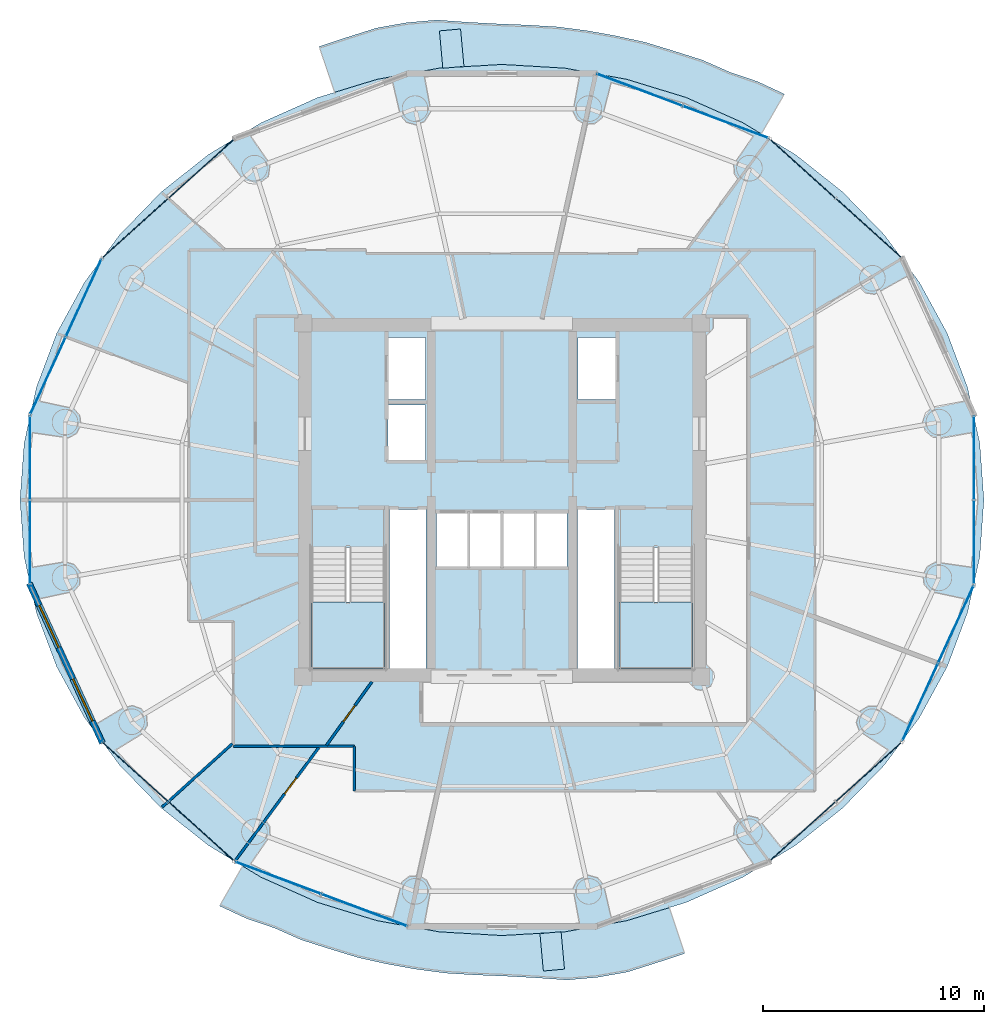
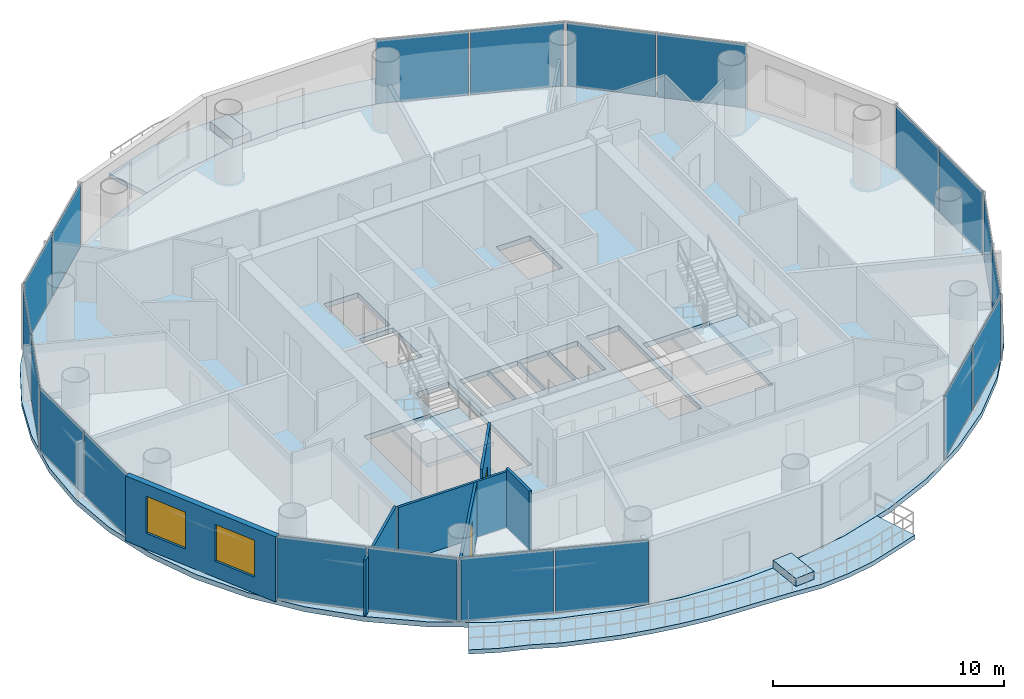
# One storey, part 19 of 26: 20 plates, 7 slabs, 6 walls, 2 doors, 2 windows, 4 openings, 12 elements without a shape of their own.
"""IFC4 building model written with IfcOpenShell, lengths in metres."""

from ifc_helpers import new_model, si_unit, direction, frame, frame_2d, origin, origin_2d, place, context, subcontext, project, spatial, polyline, rectangle, outline, extrude, source, transform, mapped, material, layer, layer_set, type_object, element, fill, aggregate, save


model = new_model("IFC4")

# Units and contexts
model_context = context("Model", 3, precision=1e-05, world=origin(), true_north=direction((-0.2419218956, 0.970295726276)))
body_context = subcontext(model_context, "Body", "Model", "MODEL_VIEW")
ifc_project = project(units=[si_unit("LENGTHUNIT", "METRE"), si_unit("AREAUNIT", "SQUARE_METRE"), si_unit("VOLUMEUNIT", "CUBIC_METRE"), si_unit("PLANEANGLEUNIT", "RADIAN"), si_unit("MASSUNIT", "GRAM", prefix="KILO")], contexts=[model_context])

# Site, building, storey
site_placement = place(None, origin())
site = spatial("IfcSite", under=ifc_project, at=site_placement, CompositionType="ELEMENT")
building_placement = place(site_placement, origin())
building = spatial("IfcBuilding", under=site, at=building_placement, Name="Cobrevalo Terracotta Tower", CompositionType="ELEMENT")
storey_placement = place(building_placement, frame((0.0, 0.0, 235.60009765625)))
storey = spatial("IfcBuildingStorey", under=building, at=storey_placement, Name="L62", CompositionType="ELEMENT", Elevation=235.60009765625)

# Stair, slab
ifc_material_1 = material(Name="Concrete C50", Category="concrete")
stair_type = type_object("IfcStairType", Name="Core protected escape dogleg stair 1600", PredefinedType="HALF_TURN_STAIR", material=ifc_material_1)
stair_1_placement = place(storey_placement, origin())
stair_1 = element("IfcStair", 1, at=stair_1_placement, inside=storey, type_object=stair_type, Name="L62 Protected exit stair ST-1", PredefinedType="HALF_TURN_STAIR")
ifc_layer_1 = layer(ifc_material_1, 0.199951171875)
ifc_layer_set_1 = layer_set([ifc_layer_1], Name="Concrete C50")
slab_type_1 = type_object("IfcSlabType", Name="Reinforced Concrete Stair Landing 200", PredefinedType="LANDING", material=ifc_layer_set_1)
slab_1_placement = place(storey_placement, frame((0.0, 0.0, 1.64990234375)))
slab_1 = element("IfcSlab", 2, at=slab_1_placement, type_object=slab_type_1, Name="ST-1 landing 1", PredefinedType="LANDING", context=body_context, shape_type="SweptSolid", body=[
    extrude(outline(polyline([(29.375, 22.179931640625), (29.375, 19.175048828125), (32.695068359375, 19.175048828125), (32.695068359375, 22.179931640625), (29.375, 22.179931640625)])), origin(), (0.0, 0.0, 1.0), 0.199951171875),
])
aggregate(stair_1, [slab_1])

stair_2_placement = place(storey_placement, origin())
stair_2 = element("IfcStair", 3, at=stair_2_placement, inside=storey, type_object=stair_type, Name="L62 Protected exit stair ST-2", PredefinedType="HALF_TURN_STAIR")
slab_2_placement = place(storey_placement, frame((0.0, 0.0, 1.64990234375)))
slab_2 = element("IfcSlab", 4, at=slab_2_placement, type_object=slab_type_1, Name="ST-2 landing 1", PredefinedType="LANDING", context=body_context, shape_type="SweptSolid", body=[
    extrude(outline(polyline([(43.304931640625, 22.179931640625), (43.304931640625, 19.175048828125), (46.625, 19.175048828125), (46.625, 22.179931640625), (43.304931640625, 22.179931640625)])), origin(), (0.0, 0.0, 1.0), 0.199951171875),
])
aggregate(stair_2, [slab_2])

# Slabs
ifc_material_2 = material(Name="Concrete C45", Category="concrete")
ifc_layer_2 = layer(ifc_material_2, 0.219970703125)
ifc_layer_set_2 = layer_set([ifc_layer_2], Name="Concrete C45")
slab_type_2 = type_object("IfcSlabType", Name="Spiralling cantilevered balcony lobe slab 220 mm", PredefinedType="FLOOR", material=ifc_layer_set_2)
slab_3_placement = place(storey_placement, frame((0.0, 0.0, -0.22021484375)))
element("IfcSlab", 5, at=slab_3_placement, inside=storey, type_object=slab_type_2, Name="L62 spiralling arc balcony slab lobe 1", PredefinedType="FLOOR", context=body_context, shape_type="SweptSolid", body=[
    extrude(outline(polyline([(50.78076171875, 45.157958984375), (49.568359375, 45.724853515625), (48.290771484375, 46.159912109375), (47.067626953125, 46.69921875), (45.78515625, 47.1064453125), (44.49755859375, 47.499755859375), (43.1806640625, 47.790771484375), (41.84912109375, 48.030029296875), (40.508544921875, 48.203369140625), (39.15478515625, 48.28466796875), (37.801025390625, 48.339111328125), (36.438232421875, 48.412353515625), (35.05615234375, 48.511474609375), (33.6875, 48.392822265625), (32.33251953125, 48.151611328125), (31.025634765625, 47.7392578125), (29.72802734375, 47.31396484375), (30.424560546875, 45.23779296875), (32.357177734375, 45.83056640625), (35.154296875, 46.33349609375), (38.0, 46.501953125), (40.845703125, 46.33349609375), (43.642822265625, 45.83056640625), (46.34326171875, 45.002197265625), (48.90087890625, 43.862548828125), (49.738037109375, 43.35693359375), (50.78076171875, 45.157958984375)])), origin(), (0.0, 0.0, 1.0), 0.22021484375),
])
slab_4_placement = place(storey_placement, frame((0.0, 0.0, -0.22021484375)))
element("IfcSlab", 6, at=slab_4_placement, inside=storey, type_object=slab_type_2, Name="L62 spiralling arc balcony slab lobe 2", PredefinedType="FLOOR", context=body_context, shape_type="SweptSolid", body=[
    extrude(outline(polyline([(25.21923828125, 8.442138671875), (26.431640625, 7.875244140625), (27.709228515625, 7.440185546875), (28.932373046875, 6.900634765625), (30.21484375, 6.49365234375), (31.50244140625, 6.100341796875), (32.8193359375, 5.80908203125), (34.15087890625, 5.570068359375), (35.491455078125, 5.396728515625), (36.84521484375, 5.3154296875), (38.198974609375, 5.260986328125), (39.561767578125, 5.187744140625), (40.94384765625, 5.088623046875), (42.3125, 5.207275390625), (43.66748046875, 5.448486328125), (44.974365234375, 5.86083984375), (46.27197265625, 6.2861328125), (45.575439453125, 8.3623046875), (43.642822265625, 7.769287109375), (40.845703125, 7.2666015625), (38.0, 7.097900390625), (35.154296875, 7.2666015625), (32.357177734375, 7.769287109375), (29.65673828125, 8.59765625), (27.09912109375, 9.737548828125), (26.261962890625, 10.242919921875), (25.21923828125, 8.442138671875)])), origin(), (0.0, 0.0, 1.0), 0.22021484375),
])
ifc_material_3 = material(Name="Precast concrete C45", Category="concrete")
ifc_layer_3 = layer(ifc_material_3, 0.419921875)
ifc_layer_set_3 = layer_set([ifc_layer_3], Name="Precast concrete C45")
slab_type_3 = type_object("IfcSlabType", Name="Structural tree planter trough base 420 mm", PredefinedType="USERDEFINED", material=ifc_layer_set_3)
slab_5_placement = place(storey_placement, origin())
element("IfcSlab", 7, at=slab_5_placement, inside=storey, type_object=slab_type_3, Name="L62 structural tree planter trough 1", ObjectType="PLANTER", PredefinedType="USERDEFINED", context=body_context, shape_type="SweptSolid", body=[
    extrude(outline(polyline([(36.281982421875, 46.41357421875), (36.126953125, 48.1064453125), (35.1708984375, 48.018798828125), (35.325927734375, 46.325927734375), (36.281982421875, 46.41357421875)])), origin(), (0.0, 0.0, 1.0), 0.419921875),
])
slab_6_placement = place(storey_placement, origin())
element("IfcSlab", 8, at=slab_6_placement, inside=storey, type_object=slab_type_3, Name="L62 structural tree planter trough 2", ObjectType="PLANTER", PredefinedType="USERDEFINED", context=body_context, shape_type="SweptSolid", body=[
    extrude(outline(polyline([(39.718017578125, 7.1865234375), (39.873046875, 5.49365234375), (40.8291015625, 5.581298828125), (40.674072265625, 7.274169921875), (39.718017578125, 7.1865234375)])), origin(), (0.0, 0.0, 1.0), 0.419921875),
])
ifc_layer_4 = layer(ifc_material_2, 0.264892578125)
ifc_layer_set_4 = layer_set([ifc_layer_4], Name="Concrete C45")
slab_type_4 = type_object("IfcSlabType", Name="Zone Z4 elliptical floor plate 265 mm", PredefinedType="FLOOR", material=ifc_layer_set_4)
slab_7_placement = place(storey_placement, frame((0.0, 0.0, -0.26513671875)))
element("IfcSlab", 9, at=slab_7_placement, inside=storey, type_object=slab_type_4, Name="L62 indoor elliptical floor slab", PredefinedType="FLOOR", context=body_context, shape_type="SweptSolid", body=[
    extrude(outline(polyline([(59.613525390625, 24.228515625), (59.05712890625, 21.701171875), (58.140625, 19.26123046875), (56.87939453125, 16.949951171875), (55.295166015625, 14.807373046875), (53.4150390625, 12.8701171875), (51.27099609375, 11.1708984375), (48.89990234375, 9.7392578125), (46.342529296875, 8.599609375), (43.642333984375, 7.771240234375), (40.845458984375, 7.2685546875), (38.0, 7.10009765625), (35.154541015625, 7.2685546875), (32.357666015625, 7.771240234375), (29.657470703125, 8.599609375), (27.10009765625, 9.7392578125), (24.72900390625, 11.1708984375), (22.5849609375, 12.8701171875), (20.704833984375, 14.807373046875), (19.12060546875, 16.949951171875), (17.859375, 19.26123046875), (16.94287109375, 21.701171875), (16.386474609375, 24.228515625), (16.199951171875, 26.800048828125), (16.386474609375, 29.371337890625), (16.94287109375, 31.898681640625), (17.859375, 34.3388671875), (19.12060546875, 36.64990234375), (20.704833984375, 38.79248046875), (22.5849609375, 40.72998046875), (24.72900390625, 42.428955078125), (27.10009765625, 43.860595703125), (29.657470703125, 45.00048828125), (32.357666015625, 45.828857421875), (35.154541015625, 46.33154296875), (38.0, 46.5), (40.845458984375, 46.33154296875), (43.642333984375, 45.828857421875), (46.342529296875, 45.00048828125), (48.89990234375, 43.860595703125), (51.27099609375, 42.428955078125), (53.4150390625, 40.72998046875), (55.295166015625, 38.79248046875), (56.87939453125, 36.64990234375), (58.140625, 34.3388671875), (59.05712890625, 31.898681640625), (59.613525390625, 29.371337890625), (59.800048828125, 26.800048828125), (59.613525390625, 24.228515625)]), holes=[polyline([(32.695068359375, 19.175048828125), (32.695068359375, 24.659912109375), (29.375, 24.659912109375), (29.375, 19.175048828125), (32.695068359375, 19.175048828125)]), polyline([(34.574951171875, 26.360107421875), (32.919921875, 26.360107421875), (32.919921875, 19.175048828125), (34.574951171875, 19.175048828125), (34.574951171875, 26.360107421875)]), polyline([(36.47998046875, 26.25), (35.050048828125, 26.25), (35.050048828125, 23.800048828125), (36.47998046875, 23.800048828125), (36.47998046875, 26.25)]), polyline([(37.9599609375, 23.800048828125), (37.9599609375, 26.25), (36.530029296875, 26.25), (36.530029296875, 23.800048828125), (37.9599609375, 23.800048828125)]), polyline([(34.550048828125, 28.60009765625), (34.550048828125, 31.10009765625), (32.85009765625, 31.10009765625), (32.85009765625, 28.60009765625), (34.550048828125, 28.60009765625)]), polyline([(34.550048828125, 34.14990234375), (32.85009765625, 34.14990234375), (32.85009765625, 31.35009765625), (34.550048828125, 31.35009765625), (34.550048828125, 34.14990234375)]), polyline([(43.304931640625, 19.175048828125), (46.625, 19.175048828125), (46.625, 24.659912109375), (43.304931640625, 24.659912109375), (43.304931640625, 19.175048828125)]), polyline([(43.080078125, 19.175048828125), (43.080078125, 26.360107421875), (41.425048828125, 26.360107421875), (41.425048828125, 19.175048828125), (43.080078125, 19.175048828125)]), polyline([(39.469970703125, 26.25), (38.0400390625, 26.25), (38.0400390625, 23.800048828125), (39.469970703125, 23.800048828125), (39.469970703125, 26.25)]), polyline([(40.949951171875, 23.800048828125), (40.949951171875, 26.25), (39.52001953125, 26.25), (39.52001953125, 23.800048828125), (40.949951171875, 23.800048828125)]), polyline([(43.14990234375, 31.35009765625), (43.14990234375, 34.14990234375), (41.449951171875, 34.14990234375), (41.449951171875, 31.35009765625), (43.14990234375, 31.35009765625)])]), origin(), (0.0, 0.0, 1.0), 0.26513671875),
])

# Curtain wall, plates
ifc_material_4 = material(Name="Anodized aluminium", Category="aluminium")
curtain_wall_type = type_object("IfcCurtainWallType", Name="Mid-tower high-wind unitised curtain wall CW-U2", PredefinedType="NOTDEFINED", material=ifc_material_4)
curtain_wall_1_placement = place(storey_placement, origin())
curtain_wall_1 = element("IfcCurtainWall", 10, at=curtain_wall_1_placement, inside=storey, type_object=curtain_wall_type, Name="L62 curtain wall CW-L62-S02", PredefinedType="NOTDEFINED")
ifc_material_5 = material(Name="Solar-control low-E double glazing", Category="glass")
ifc_layer_5 = layer(ifc_material_5, 0.028076171875)
ifc_layer_set_5 = layer_set([ifc_layer_5], Name="Solar-control low-E double glazing")
plate_type = type_object("IfcPlateType", Name="Tower solar-control low-E vision glass panel 28 mm", PredefinedType="CURTAIN_PANEL", material=ifc_layer_set_5)
shared_shape_1 = source(origin(), body_context, "Body", "SweptSolid", [
    extrude(rectangle(XDim=3.927490234375, YDim=0.035888671875, at=origin_2d()), origin(), (0.0, 0.0, 1.0), 3.35498046875),
])
plate_1_placement = place(storey_placement, frame((54.584716796875, 39.09814453125, 0.039794921875), z_axis=(0.0, 0.0, 1.0), x_axis=(-0.741987542015, 0.670413668935, 0.0)))
plate_1 = element("IfcPlate", 11, at=plate_1_placement, type_object=plate_type, Name="CW-L62-S02 glazing panel B01", PredefinedType="CURTAIN_PANEL", context=body_context, shape_type="MappedRepresentation", body=[
    mapped(shared_shape_1, transform((0.0, 0.0, 0.0), scale=1.0)),
])
plate_2_placement = place(storey_placement, frame((51.611083984375, 41.784912109375, 0.039794921875), z_axis=(0.0, 0.0, 1.0), x_axis=(-0.741987542015, 0.670413668935, 0.0)))
plate_2 = element("IfcPlate", 12, at=plate_2_placement, type_object=plate_type, Name="CW-L62-S02 glazing panel B02", PredefinedType="CURTAIN_PANEL", context=body_context, shape_type="MappedRepresentation", body=[
    mapped(shared_shape_1, transform((0.0, 0.0, 0.0), scale=1.0)),
])
aggregate(curtain_wall_1, [plate_1, plate_2])

curtain_wall_2_placement = place(storey_placement, origin())
curtain_wall_2 = element("IfcCurtainWall", 13, at=curtain_wall_2_placement, inside=storey, type_object=curtain_wall_type, Name="L62 curtain wall CW-L62-S06", PredefinedType="NOTDEFINED")
plate_3_placement = place(storey_placement, frame((24.388916015625, 41.784912109375, 0.039794921875), z_axis=(0.0, 0.0, 1.0), x_axis=(-0.741987542015, -0.670413668935, 0.0)))
plate_3 = element("IfcPlate", 14, at=plate_3_placement, type_object=plate_type, Name="CW-L62-S06 glazing panel B01", PredefinedType="CURTAIN_PANEL", context=body_context, shape_type="MappedRepresentation", body=[
    mapped(shared_shape_1, transform((0.0, 0.0, 0.0), scale=1.0)),
])
plate_4_placement = place(storey_placement, frame((21.415283203125, 39.09814453125, 0.039794921875), z_axis=(0.0, 0.0, 1.0), x_axis=(-0.741987542015, -0.670413668935, 0.0)))
plate_4 = element("IfcPlate", 15, at=plate_4_placement, type_object=plate_type, Name="CW-L62-S06 glazing panel B02", PredefinedType="CURTAIN_PANEL", context=body_context, shape_type="MappedRepresentation", body=[
    mapped(shared_shape_1, transform((0.0, 0.0, 0.0), scale=1.0)),
])
aggregate(curtain_wall_2, [plate_3, plate_4])

curtain_wall_3_placement = place(storey_placement, origin())
curtain_wall_3 = element("IfcCurtainWall", 16, at=curtain_wall_3_placement, inside=storey, type_object=curtain_wall_type, Name="L62 curtain wall CW-L62-S10", PredefinedType="NOTDEFINED")
plate_5_placement = place(storey_placement, frame((21.415283203125, 14.501708984375, 0.039794921875), z_axis=(0.0, 0.0, 1.0), x_axis=(0.741987542015, -0.670413668935, 0.0)))
plate_5 = element("IfcPlate", 17, at=plate_5_placement, type_object=plate_type, Name="CW-L62-S10 glazing panel B01", PredefinedType="CURTAIN_PANEL", context=body_context, shape_type="MappedRepresentation", body=[
    mapped(shared_shape_1, transform((0.0, 0.0, 0.0), scale=1.0)),
])
plate_6_placement = place(storey_placement, frame((24.388916015625, 11.815185546875, 0.039794921875), z_axis=(0.0, 0.0, 1.0), x_axis=(0.741987542015, -0.670413668935, 0.0)))
plate_6 = element("IfcPlate", 18, at=plate_6_placement, type_object=plate_type, Name="CW-L62-S10 glazing panel B02", PredefinedType="CURTAIN_PANEL", context=body_context, shape_type="MappedRepresentation", body=[
    mapped(shared_shape_1, transform((0.0, 0.0, 0.0), scale=1.0)),
])
aggregate(curtain_wall_3, [plate_5, plate_6])

curtain_wall_4_placement = place(storey_placement, origin())
curtain_wall_4 = element("IfcCurtainWall", 19, at=curtain_wall_4_placement, inside=storey, type_object=curtain_wall_type, Name="L62 curtain wall CW-L62-S14", PredefinedType="NOTDEFINED")
plate_7_placement = place(storey_placement, frame((51.611083984375, 11.815185546875, 0.039794921875), z_axis=(0.0, 0.0, 1.0), x_axis=(0.741987542015, 0.670413668935, 0.0)))
plate_7 = element("IfcPlate", 20, at=plate_7_placement, type_object=plate_type, Name="CW-L62-S14 glazing panel B01", PredefinedType="CURTAIN_PANEL", context=body_context, shape_type="MappedRepresentation", body=[
    mapped(shared_shape_1, transform((0.0, 0.0, 0.0), scale=1.0)),
])
plate_8_placement = place(storey_placement, frame((54.584716796875, 14.501708984375, 0.039794921875), z_axis=(0.0, 0.0, 1.0), x_axis=(0.741987542015, 0.670413668935, 0.0)))
plate_8 = element("IfcPlate", 21, at=plate_8_placement, type_object=plate_type, Name="CW-L62-S14 glazing panel B02", PredefinedType="CURTAIN_PANEL", context=body_context, shape_type="MappedRepresentation", body=[
    mapped(shared_shape_1, transform((0.0, 0.0, 0.0), scale=1.0)),
])
aggregate(curtain_wall_4, [plate_7, plate_8])

curtain_wall_5_placement = place(storey_placement, origin())
curtain_wall_5 = element("IfcCurtainWall", 22, at=curtain_wall_5_placement, inside=storey, type_object=curtain_wall_type, Name="L62 curtain wall CW-L62-S07", PredefinedType="NOTDEFINED")
shared_shape_2 = source(origin(), body_context, "Body", "SweptSolid", [
    extrude(rectangle(XDim=3.780029296875, YDim=0.035888671875, at=origin_2d()), origin(), (0.0, 0.0, 1.0), 3.35498046875),
])
plate_9_placement = place(storey_placement, frame((19.077880859375, 35.937255859375, 0.039794921875), z_axis=(0.0, 0.0, 1.0), x_axis=(-0.416731425355, -0.909029657999, 0.0)))
plate_9 = element("IfcPlate", 23, at=plate_9_placement, type_object=plate_type, Name="CW-L62-S07 glazing panel B01", PredefinedType="CURTAIN_PANEL", context=body_context, shape_type="MappedRepresentation", body=[
    mapped(shared_shape_2, transform((0.0, 0.0, 0.0), scale=1.0)),
])
plate_10_placement = place(storey_placement, frame((17.46923828125, 32.42822265625, 0.039794921875), z_axis=(0.0, 0.0, 1.0), x_axis=(-0.416731425355, -0.909029657999, 0.0)))
plate_10 = element("IfcPlate", 24, at=plate_10_placement, type_object=plate_type, Name="CW-L62-S07 glazing panel B02", PredefinedType="CURTAIN_PANEL", context=body_context, shape_type="MappedRepresentation", body=[
    mapped(shared_shape_2, transform((0.0, 0.0, 0.0), scale=1.0)),
])
aggregate(curtain_wall_5, [plate_9, plate_10])

curtain_wall_6_placement = place(storey_placement, origin())
curtain_wall_6 = element("IfcCurtainWall", 25, at=curtain_wall_6_placement, inside=storey, type_object=curtain_wall_type, Name="L62 curtain wall CW-L62-S15", PredefinedType="NOTDEFINED")
plate_11_placement = place(storey_placement, frame((56.922119140625, 17.662841796875, 0.039794921875), z_axis=(0.0, 0.0, 1.0), x_axis=(0.416731425355, 0.909029657999, 0.0)))
plate_11 = element("IfcPlate", 26, at=plate_11_placement, type_object=plate_type, Name="CW-L62-S15 glazing panel B01", PredefinedType="CURTAIN_PANEL", context=body_context, shape_type="MappedRepresentation", body=[
    mapped(shared_shape_2, transform((0.0, 0.0, 0.0), scale=1.0)),
])
plate_12_placement = place(storey_placement, frame((58.53076171875, 21.171630859375, 0.039794921875), z_axis=(0.0, 0.0, 1.0), x_axis=(0.416731425355, 0.909029657999, 0.0)))
plate_12 = element("IfcPlate", 27, at=plate_12_placement, type_object=plate_type, Name="CW-L62-S15 glazing panel B02", PredefinedType="CURTAIN_PANEL", context=body_context, shape_type="MappedRepresentation", body=[
    mapped(shared_shape_2, transform((0.0, 0.0, 0.0), scale=1.0)),
])
aggregate(curtain_wall_6, [plate_11, plate_12])

curtain_wall_7_placement = place(storey_placement, origin())
curtain_wall_7 = element("IfcCurtainWall", 28, at=curtain_wall_7_placement, inside=storey, type_object=curtain_wall_type, Name="L62 curtain wall CW-L62-S08", PredefinedType="NOTDEFINED")
shared_shape_3 = source(origin(), body_context, "Body", "SweptSolid", [
    extrude(rectangle(XDim=3.71728515625, YDim=0.035888671875, at=origin_2d()), origin(), (0.0, 0.0, 1.0), 3.35498046875),
])
plate_13_placement = place(storey_placement, frame((16.648193359375, 28.69873046875, 0.039794921875), z_axis=(0.0, 0.0, 1.0), x_axis=(0.0, -1.0, 0.0)))
plate_13 = element("IfcPlate", 29, at=plate_13_placement, type_object=plate_type, Name="CW-L62-S08 glazing panel B01", PredefinedType="CURTAIN_PANEL", context=body_context, shape_type="MappedRepresentation", body=[
    mapped(shared_shape_3, transform((0.0, 0.0, 0.0), scale=1.0)),
])
plate_14_placement = place(storey_placement, frame((16.648193359375, 24.9013671875, 0.039794921875), z_axis=(0.0, 0.0, 1.0), x_axis=(0.0, -1.0, 0.0)))
plate_14 = element("IfcPlate", 30, at=plate_14_placement, type_object=plate_type, Name="CW-L62-S08 glazing panel B02", PredefinedType="CURTAIN_PANEL", context=body_context, shape_type="MappedRepresentation", body=[
    mapped(shared_shape_3, transform((0.0, 0.0, 0.0), scale=1.0)),
])
aggregate(curtain_wall_7, [plate_13, plate_14])

curtain_wall_8_placement = place(storey_placement, origin())
curtain_wall_8 = element("IfcCurtainWall", 31, at=curtain_wall_8_placement, inside=storey, type_object=curtain_wall_type, Name="L62 curtain wall CW-L62-S16", PredefinedType="NOTDEFINED")
plate_15_placement = place(storey_placement, frame((59.351806640625, 24.9013671875, 0.039794921875), z_axis=(0.0, 0.0, 1.0), x_axis=(0.0, 1.0, 0.0)))
plate_15 = element("IfcPlate", 32, at=plate_15_placement, type_object=plate_type, Name="CW-L62-S16 glazing panel B01", PredefinedType="CURTAIN_PANEL", context=body_context, shape_type="MappedRepresentation", body=[
    mapped(shared_shape_3, transform((0.0, 0.0, 0.0), scale=1.0)),
])
plate_16_placement = place(storey_placement, frame((59.351806640625, 28.69873046875, 0.039794921875), z_axis=(0.0, 0.0, 1.0), x_axis=(0.0, 1.0, 0.0)))
plate_16 = element("IfcPlate", 33, at=plate_16_placement, type_object=plate_type, Name="CW-L62-S16 glazing panel B02", PredefinedType="CURTAIN_PANEL", context=body_context, shape_type="MappedRepresentation", body=[
    mapped(shared_shape_3, transform((0.0, 0.0, 0.0), scale=1.0)),
])
aggregate(curtain_wall_8, [plate_15, plate_16])

curtain_wall_9_placement = place(storey_placement, origin())
curtain_wall_9 = element("IfcCurtainWall", 34, at=curtain_wall_9_placement, inside=storey, type_object=curtain_wall_type, Name="L62 curtain wall CW-L62-S03", PredefinedType="NOTDEFINED")
shared_shape_4 = source(origin(), body_context, "Body", "SweptSolid", [
    extrude(rectangle(XDim=4.069580078125, YDim=0.035888671875, at=origin_2d()), origin(), (0.0, 0.0, 1.0), 3.35498046875),
])
plate_17_placement = place(storey_placement, frame((48.114013671875, 43.896240234375, 0.039794921875), z_axis=(0.0, 0.0, 1.0), x_axis=(-0.936557839879, 0.350513070458, 0.0)))
plate_17 = element("IfcPlate", 35, at=plate_17_placement, type_object=plate_type, Name="CW-L62-S03 glazing panel B01", PredefinedType="CURTAIN_PANEL", context=body_context, shape_type="MappedRepresentation", body=[
    mapped(shared_shape_4, transform((0.0, 0.0, 0.0), scale=1.0)),
])
plate_18_placement = place(storey_placement, frame((44.227783203125, 45.350830078125, 0.039794921875), z_axis=(0.0, 0.0, 1.0), x_axis=(-0.936557839879, 0.350513070458, 0.0)))
plate_18 = element("IfcPlate", 36, at=plate_18_placement, type_object=plate_type, Name="CW-L62-S03 glazing panel B02", PredefinedType="CURTAIN_PANEL", context=body_context, shape_type="MappedRepresentation", body=[
    mapped(shared_shape_4, transform((0.0, 0.0, 0.0), scale=1.0)),
])
aggregate(curtain_wall_9, [plate_17, plate_18])

curtain_wall_10_placement = place(storey_placement, origin())
curtain_wall_10 = element("IfcCurtainWall", 37, at=curtain_wall_10_placement, inside=storey, type_object=curtain_wall_type, Name="L62 curtain wall CW-L62-S11", PredefinedType="NOTDEFINED")
plate_19_placement = place(storey_placement, frame((27.885986328125, 9.70361328125, 0.039794921875), z_axis=(0.0, 0.0, 1.0), x_axis=(0.936557839879, -0.350513070458, 0.0)))
plate_19 = element("IfcPlate", 38, at=plate_19_placement, type_object=plate_type, Name="CW-L62-S11 glazing panel B01", PredefinedType="CURTAIN_PANEL", context=body_context, shape_type="MappedRepresentation", body=[
    mapped(shared_shape_4, transform((0.0, 0.0, 0.0), scale=1.0)),
])
plate_20_placement = place(storey_placement, frame((31.772216796875, 8.249267578125, 0.039794921875), z_axis=(0.0, 0.0, 1.0), x_axis=(0.936557839879, -0.350513070458, 0.0)))
plate_20 = element("IfcPlate", 39, at=plate_20_placement, type_object=plate_type, Name="CW-L62-S11 glazing panel B02", PredefinedType="CURTAIN_PANEL", context=body_context, shape_type="MappedRepresentation", body=[
    mapped(shared_shape_4, transform((0.0, 0.0, 0.0), scale=1.0)),
])
aggregate(curtain_wall_10, [plate_19, plate_20])

# Wall, openings, windows
ifc_material_6 = material(Name="Autoclaved aerated concrete block", Category="concrete")
ifc_layer_6 = layer(ifc_material_6, 0.280029296875)
ifc_layer_set_6 = layer_set([ifc_layer_6], Name="Autoclaved aerated concrete block")
wall_type_1 = type_object("IfcWallType", Name="Insulated tower spandrel & pier wall 280 mm with terracotta rainscreen", PredefinedType="SOLIDWALL", material=ifc_layer_set_6)
wall_1_placement = place(storey_placement, frame((16.614990234375, 23.035400390625, 0.0), z_axis=(0.0, 0.0, 1.0), x_axis=(0.416717018135, -0.909036262641, 0.0)))
wall_1 = element("IfcWall", 40, at=wall_1_placement, inside=storey, type_object=wall_type_1, Name="L62 terracotta rainscreen pier wall S09", PredefinedType="SOLIDWALL", context=body_context, shape_type="SweptSolid", body=[
    extrude(rectangle(XDim=7.960205078125, YDim=0.280029296875, at=frame_2d((3.97998046875, 0.0))), origin(), (0.0, 0.0, 1.0), 3.434814453125),
])
opening_1_placement = place(wall_1_placement, frame((1.099365234375, 0.0, 0.85009765625)))
opening_1 = element("IfcOpeningElement", 41, at=opening_1_placement, cuts=wall_1, Name="Opening WN-10", PredefinedType="OPENING", context=body_context, shape_type="SweptSolid", body=[
    extrude(rectangle(XDim=2.10009765625, YDim=1.949951171875, at=frame_2d((1.050048828125, 0.97509765625))), frame((0.0, 0.14990234375, 0.0), z_axis=(0.0, -1.0, 0.0), x_axis=(1.0, 0.0, 0.0)), (0.0, 0.0, 1.0), 0.300048828125),
])
opening_2_placement = place(wall_1_placement, frame((4.760986328125, 0.0, 0.85009765625)))
opening_2 = element("IfcOpeningElement", 42, at=opening_2_placement, cuts=wall_1, Name="Opening WN-10", PredefinedType="OPENING", context=body_context, shape_type="SweptSolid", body=[
    extrude(rectangle(XDim=2.10009765625, YDim=1.949951171875, at=frame_2d((1.050048828125, 0.97509765625))), frame((0.0, 0.14990234375, 0.0), z_axis=(0.0, -1.0, 0.0), x_axis=(1.0, 0.0, 0.0)), (0.0, 0.0, 1.0), 0.300048828125),
])
window_type = type_object("IfcWindowType", Name="Wide panoramic low-E aluminium window 2100x1950", PartitioningType="SINGLE_PANEL", PredefinedType="WINDOW", material=ifc_material_5)
shared_shape_5 = source(origin(), body_context, "Body", "SweptSolid", [
    extrude(rectangle(XDim=2.10009765625, YDim=1.949951171875, at=frame_2d((1.050048828125, 0.97509765625))), frame((0.0, 0.030029296875, 0.0), z_axis=(0.0, -1.0, 0.0), x_axis=(1.0, 0.0, 0.0)), (0.0, 0.0, 1.0), 0.06005859375),
])
window_1_placement = place(opening_1_placement, origin())
window_1 = element("IfcWindow", 43, at=window_1_placement, inside=storey, type_object=window_type, Name="L62 suite window S09A", OverallHeight=1.949951171875, OverallWidth=2.10009765625, PartitioningType="SINGLE_PANEL", PredefinedType="WINDOW", context=body_context, shape_type="MappedRepresentation", body=[
    mapped(shared_shape_5, transform((0.0, 0.0, 0.0), scale=1.0)),
])
fill(opening_1, window_1)
window_2_placement = place(opening_2_placement, origin())
window_2 = element("IfcWindow", 44, at=window_2_placement, inside=storey, type_object=window_type, Name="L62 suite window S09B", OverallHeight=1.949951171875, OverallWidth=2.10009765625, PartitioningType="SINGLE_PANEL", PredefinedType="WINDOW", context=body_context, shape_type="MappedRepresentation", body=[
    mapped(shared_shape_5, transform((0.0, 0.0, 0.0), scale=1.0)),
])
fill(opening_2, window_2)

# Walls
ifc_material_7 = material(Name="Gypsum board on steel stud", Category="steel")
ifc_layer_7 = layer(ifc_material_7, 0.1201171875)
ifc_layer_set_7 = layer_set([ifc_layer_7], Name="Gypsum board on steel stud")
wall_type_2 = type_object("IfcWallType", Name="Residential internal acoustic stud partition 120 mm", PredefinedType="PARTITIONING", material=ifc_layer_set_7)
wall_2_placement = place(storey_placement, frame((31.320068359375, 13.64501953125, 0.0), z_axis=(0.0, 0.0, 1.0), x_axis=(0.0, 1.0, 0.0)))
element("IfcWall", 45, at=wall_2_placement, inside=storey, type_object=wall_type_2, Name="L62 interior partition IW-L62-U3-RING1_0", PredefinedType="PARTITIONING", context=body_context, shape_type="SweptSolid", body=[
    extrude(rectangle(XDim=2.010009765625, YDim=0.1201171875, at=frame_2d((1.0048828125, 0.0))), origin(), (0.0, 0.0, 1.0), 3.10986328125),
])
wall_3_placement = place(storey_placement, frame((31.320068359375, 15.655029296875, 0.0), z_axis=(0.0, 0.0, 1.0), x_axis=(-1.0, 0.0, 0.0)))
element("IfcWall", 46, at=wall_3_placement, inside=storey, type_object=wall_type_2, Name="L62 interior partition IW-L62-U3-RING2_0", PredefinedType="PARTITIONING", context=body_context, shape_type="SweptSolid", body=[
    extrude(rectangle(XDim=5.465087890625, YDim=0.1201171875, at=frame_2d((2.732421875, 0.0))), origin(), (0.0, 0.0, 1.0), 2.950927734375),
])
wall_4_placement = place(storey_placement, frame((25.80908203125, 15.783447265625, 0.0), z_axis=(0.0, 0.0, 1.0), x_axis=(-0.741938009522, -0.670468485483, 0.0)))
element("IfcWall", 47, at=wall_4_placement, inside=storey, type_object=wall_type_2, Name="L62 interior partition IW-L62-U3-ORAD1", PredefinedType="PARTITIONING", context=body_context, shape_type="SweptSolid", body=[
    extrude(rectangle(XDim=4.28369140625, YDim=0.1201171875, at=frame_2d((2.141845703125, 0.0))), origin(), (0.0, 0.0, 1.0), 2.950927734375),
])

# Wall, opening, door
wall_5_placement = place(storey_placement, frame((29.722412109375, 15.605224609375, 0.0), z_axis=(0.0, 0.0, 1.0), x_axis=(-0.594518724985, -0.80408176552, 0.0)))
wall_5 = element("IfcWall", 48, at=wall_5_placement, inside=storey, type_object=wall_type_2, Name="L62 interior partition IW-L62-U3-ORAD2M1", PredefinedType="PARTITIONING", context=body_context, shape_type="SweptSolid", body=[
    extrude(rectangle(XDim=6.344482421875, YDim=0.1201171875, at=frame_2d((3.17236328125, 0.0))), origin(), (0.0, 0.0, 1.0), 2.950927734375),
])
opening_3_placement = place(wall_5_placement, frame((1.714111328125, 0.0, 0.0)))
opening_3 = element("IfcOpeningElement", 49, at=opening_3_placement, cuts=wall_5, Name="Opening ID-12", PredefinedType="OPENING", context=body_context, shape_type="SweptSolid", body=[
    extrude(rectangle(XDim=0.89990234375, YDim=2.14990234375, at=frame_2d((0.449951171875, 1.074951171875))), frame((0.0, 0.070068359375, 0.0), z_axis=(0.0, -1.0, 0.0), x_axis=(1.0, 0.0, 0.0)), (0.0, 0.0, 1.0), 0.14013671875),
])
ifc_material_8 = material(Name="Engineered timber", Category="wood")
door_type = type_object("IfcDoorType", Name="Internal residence & suite timber door 900x2150", OperationType="NOTDEFINED", PredefinedType="DOOR", material=ifc_material_8)
shared_shape_6 = source(origin(), body_context, "Body", "SweptSolid", [
    extrude(rectangle(XDim=0.89990234375, YDim=2.14990234375, at=frame_2d((0.449951171875, 1.074951171875))), frame((0.0, 0.02490234375, 0.0), z_axis=(0.0, -1.0, 0.0), x_axis=(1.0, 0.0, 0.0)), (0.0, 0.0, 1.0), 0.050048828125),
])
door_1_placement = place(opening_3_placement, frame((0.89990234375, 0.0, 0.0), z_axis=(0.0, 0.0, 1.0), x_axis=(-1.0, 0.0, 0.0)))
door_1 = element("IfcDoor", 50, at=door_1_placement, inside=storey, type_object=door_type, Name="Flat L62C Master Bedroom internal door", OperationType="SINGLE_SWING_LEFT", OverallHeight=2.14990234375, OverallWidth=0.89990234375, PredefinedType="DOOR", context=body_context, shape_type="MappedRepresentation", body=[
    mapped(shared_shape_6, transform((0.0, 0.0, 0.0), scale=1.0)),
])
fill(opening_3, door_1)

wall_6_placement = place(storey_placement, frame((32.11669921875, 18.574951171875, 0.0), z_axis=(0.0, 0.0, 1.0), x_axis=(-0.581800974427, -0.81333119094, 0.0)))
wall_6 = element("IfcWall", 51, at=wall_6_placement, inside=storey, type_object=wall_type_2, Name="L62 interior partition IW-L62-U3-IRAD2", PredefinedType="PARTITIONING", context=body_context, shape_type="SweptSolid", body=[
    extrude(rectangle(XDim=3.5283203125, YDim=0.1201171875, at=frame_2d((1.76416015625, 0.0))), origin(), (0.0, 0.0, 1.0), 3.434814453125),
])
opening_4_placement = place(wall_6_placement, frame((1.314208984375, 0.0, 0.0)))
opening_4 = element("IfcOpeningElement", 52, at=opening_4_placement, cuts=wall_6, Name="Opening ID-12", PredefinedType="OPENING", context=body_context, shape_type="SweptSolid", body=[
    extrude(rectangle(XDim=0.89990234375, YDim=2.14990234375, at=frame_2d((0.449951171875, 1.074951171875))), frame((0.0, 0.070068359375, 0.0), z_axis=(0.0, -1.0, 0.0), x_axis=(1.0, 0.0, 0.0)), (0.0, 0.0, 1.0), 0.14013671875),
])
door_2_placement = place(opening_4_placement, frame((0.89990234375, 0.0, 0.0), z_axis=(0.0, 0.0, 1.0), x_axis=(-1.0, 0.0, 0.0)))
door_2 = element("IfcDoor", 53, at=door_2_placement, inside=storey, type_object=door_type, Name="Flat L62C Reception Hallway internal door", OperationType="SINGLE_SWING_RIGHT", OverallHeight=2.14990234375, OverallWidth=0.89990234375, PredefinedType="DOOR", context=body_context, shape_type="MappedRepresentation", body=[
    mapped(shared_shape_6, transform((0.0, 0.0, 0.0), scale=1.0)),
])
fill(opening_4, door_2)

save(model, "model.ifc")
